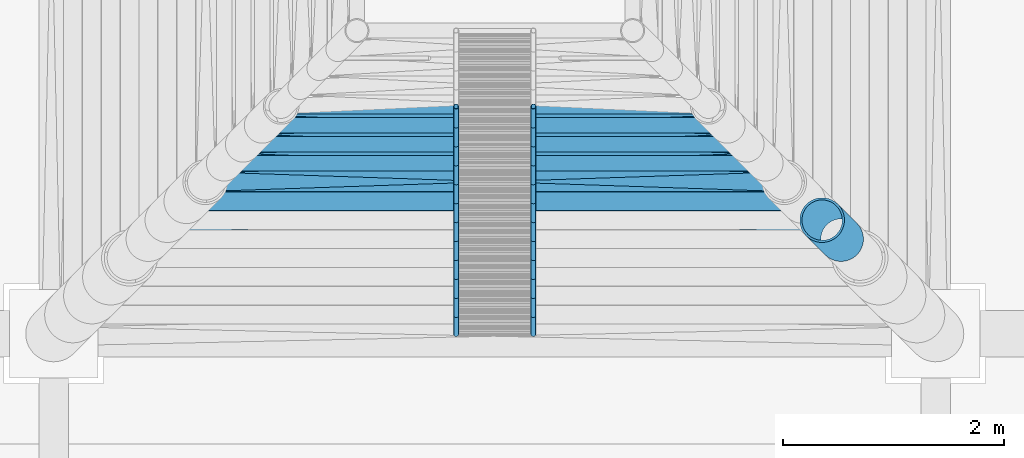
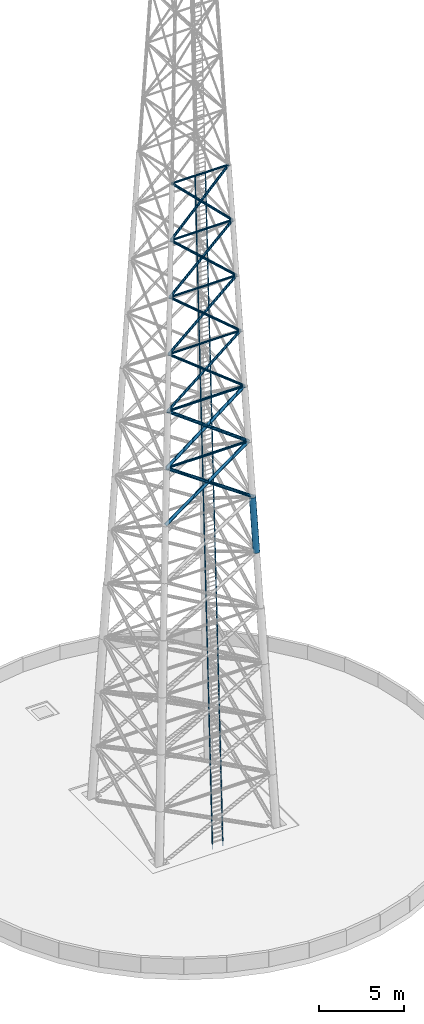
# One storey, part 2 of 9: 43 members.
"""IFC4 building model written with IfcOpenShell, lengths in metres."""

from ifc_helpers import new_model, si_unit, direction, frame, origin, origin_2d, place, context, subcontext, project, spatial, hollow_circle, extrude, material, material_profile, profile_set, type_object, element, save


model = new_model("IFC4")

# Units and contexts
model_context = context("Model", 3, precision=1e-05, world=origin(), true_north=direction((0.0, 1.0)))
body_context = subcontext(model_context, "Body", "Model", "MODEL_VIEW")
ifc_project = project(units=[si_unit("LENGTHUNIT", "METRE"), si_unit("AREAUNIT", "SQUARE_METRE"), si_unit("VOLUMEUNIT", "CUBIC_METRE"), si_unit("PLANEANGLEUNIT", "RADIAN"), si_unit("MASSUNIT", "GRAM", prefix="KILO")], contexts=[model_context])

# Site, building, storey
site_placement = place(None, origin())
site = spatial("IfcSite", under=ifc_project, at=site_placement, CompositionType="ELEMENT")
building_placement = place(site_placement, origin())
building = spatial("IfcBuilding", under=site, at=building_placement, Name="Tracery Tower", CompositionType="ELEMENT")
storey_placement = place(building_placement, frame((0.0, 0.0, 364.199951171875)))
storey = spatial("IfcBuildingStorey", under=building, at=storey_placement, Name="Roof", CompositionType="ELEMENT", Elevation=364.199951171875)

# Members
ifc_material_1 = material(Name="Steel S355", Category="steel")
ifc_material_profile_1 = material_profile(ifc_material_1, hollow_circle(Radius=0.084228515625, WallThickness=0.008056640625, at=origin_2d()), Name="CHS 168.3x8")
ifc_profile_set_1 = profile_set([ifc_material_profile_1], Name="Steel S355")
member_type_1 = type_object("IfcMemberType", Name="Mast diagonal MAST CHS 168.3x8", PredefinedType="BRACE", material=ifc_profile_set_1)
for number, where, z_axis, x_axis, name in (
    (1, (-2.625, -2.625, 31.210205078125), (0.789434031046, 0.026719305666, 0.61325360931), (-0.03382678405, 0.999427710583, 0.0), "Mast south face diagonal 9a"),
    (2, (2.625, -2.625, 31.210205078125), (-0.789434031046, 0.026719305666, 0.61325360931), (-0.03382678405, -0.999427710583, 0.0), "Mast south face diagonal 9b"),
):
    element("IfcMember", number, at=place(storey_placement, frame(where, z_axis=z_axis, x_axis=x_axis)), inside=storey, type_object=member_type_1, Name=name, PredefinedType="BRACE", context=body_context, shape_type="SweptSolid", body=[
        extrude(hollow_circle(Radius=0.084228515625, WallThickness=0.008056640625, at=origin_2d()), origin(), (0.0, 0.0, 1.0), 6.4326171875),
    ])
for number, where, z_axis, x_axis, name in (
    (3, (-2.453125, -2.453125, 35.155029296875), (0.767942149583, 0.027879087939, 0.639912190342), (-0.036279730735, 0.999341673872, 0.0), "Mast south face diagonal 10a"),
    (4, (2.453125, -2.453125, 35.155029296875), (-0.767942149583, 0.027879087939, 0.639912190342), (-0.036279730735, -0.999341673872, 0.0), "Mast south face diagonal 10b"),
):
    element("IfcMember", number, at=place(storey_placement, frame(where, z_axis=z_axis, x_axis=x_axis)), inside=storey, type_object=member_type_1, Name=name, PredefinedType="BRACE", context=body_context, shape_type="SweptSolid", body=[
        extrude(hollow_circle(Radius=0.084228515625, WallThickness=0.008056640625, at=origin_2d()), origin(), (0.0, 0.0, 1.0), 6.1650390625),
    ])
for number, where, z_axis, x_axis, name in (
    (5, (-2.28125, -2.28125, 39.10009765625), (0.743525820778, 0.029105992984, 0.668073495215), (-0.039115948266, 0.999234678437, 0.0), "Mast south face diagonal 11a"),
    (6, (2.28125, -2.28125, 39.10009765625), (-0.743525820778, 0.029105992984, 0.668073495215), (-0.039115948266, -0.999234678437, 0.0), "Mast south face diagonal 11b"),
):
    element("IfcMember", number, at=place(storey_placement, frame(where, z_axis=z_axis, x_axis=x_axis)), inside=storey, type_object=member_type_1, Name=name, PredefinedType="BRACE", context=body_context, shape_type="SweptSolid", body=[
        extrude(hollow_circle(Radius=0.084228515625, WallThickness=0.008056640625, at=origin_2d()), origin(), (0.0, 0.0, 1.0), 5.905029296875),
    ])
for number, where, z_axis, x_axis, name in (
    (7, (-2.109375, -2.109375, 43.045166015625), (0.715725377637, 0.030397602911, 0.697719979321), (-0.042432789804, 0.999099323566, 0.0), "Mast south face diagonal 12a"),
    (8, (2.109375, -2.109375, 43.045166015625), (-0.715725377637, 0.030397602911, 0.697719979321), (-0.042432789804, -0.999099323566, 0.0), "Mast south face diagonal 12b"),
):
    element("IfcMember", number, at=place(storey_placement, frame(where, z_axis=z_axis, x_axis=x_axis)), inside=storey, type_object=member_type_1, Name=name, PredefinedType="BRACE", context=body_context, shape_type="SweptSolid", body=[
        extrude(hollow_circle(Radius=0.084228515625, WallThickness=0.008056640625, at=origin_2d()), origin(), (0.0, 0.0, 1.0), 5.654296875),
    ])
ifc_material_2 = material(Name="Steel S355", Category="steel")
ifc_material_profile_2 = material_profile(ifc_material_2, hollow_circle(Radius=0.109619140625, WallThickness=0.010009765625, at=origin_2d()), Name="CHS 219.1x10")
ifc_profile_set_2 = profile_set([ifc_material_profile_2], Name="Steel S355")
member_type_2 = type_object("IfcMemberType", Name="Mast diagonal MAST CHS 219.1x10", PredefinedType="BRACE", material=ifc_profile_set_2)
for number, where, z_axis, x_axis, name in (
    (9, (-2.96875, -2.96875, 23.320068359375), (0.825046465832, 0.024594881095, 0.56452938014), (-0.029797061406, 0.999555968984, 0.0), "Mast south face diagonal 7a"),
    (10, (2.96875, -2.96875, 23.320068359375), (-0.825046465832, 0.024594881095, 0.56452938014), (-0.029797061406, -0.999555968984, 0.0), "Mast south face diagonal 7b"),
):
    element("IfcMember", number, at=place(storey_placement, frame(where, z_axis=z_axis, x_axis=x_axis)), inside=storey, type_object=member_type_2, Name=name, PredefinedType="BRACE", context=body_context, shape_type="SweptSolid", body=[
        extrude(hollow_circle(Radius=0.109619140625, WallThickness=0.010009765625, at=origin_2d()), origin(), (0.0, 0.0, 1.0), 6.98828125),
    ])
for number, where, z_axis, x_axis, name in (
    (11, (-2.796875, -2.796875, 27.26513671875), (0.808336716623, 0.025624506867, 0.588162509182), (-0.031684372238, 0.999497924238, 0.0), "Mast south face diagonal 8a"),
    (12, (2.796875, -2.796875, 27.26513671875), (-0.808336716623, 0.025624506867, 0.588162509182), (-0.031684372238, -0.999497924238, 0.0), "Mast south face diagonal 8b"),
):
    element("IfcMember", number, at=place(storey_placement, frame(where, z_axis=z_axis, x_axis=x_axis)), inside=storey, type_object=member_type_2, Name=name, PredefinedType="BRACE", context=body_context, shape_type="SweptSolid", body=[
        extrude(hollow_circle(Radius=0.109619140625, WallThickness=0.010009765625, at=origin_2d()), origin(), (0.0, 0.0, 1.0), 6.70751953125),
    ])
ifc_material_3 = material(Name="Steel S355", Category="steel")
ifc_material_profile_3 = material_profile(ifc_material_3, hollow_circle(Radius=0.024169921875, WallThickness=0.00390625, at=origin_2d()), Name="CHS 48.3x4")
ifc_profile_set_3 = profile_set([ifc_material_profile_3], Name="Steel S355")
member_type_3 = type_object("IfcMemberType", Name="Mast ladder stile MAST CHS 48.3x4", PredefinedType="STRINGER", material=ifc_profile_set_3)
for number, where, z_axis, x_axis, name in (
    (13, (-0.35009765625, -4.0, -0.349853515625), (0.0, 0.043528452789, 0.999052187725), (-1.0, 0.0, 0.0), "Mast service ladder stile 1 length 1"),
    (14, (0.35009765625, -4.0, -0.349853515625), (0.0, 0.043528452789, 0.999052187725), (-1.0, 0.0, 0.0), "Mast service ladder stile 2 length 1"),
):
    element("IfcMember", number, at=place(storey_placement, frame(where, z_axis=z_axis, x_axis=x_axis)), inside=storey, type_object=member_type_3, Name=name, PredefinedType="STRINGER", context=body_context, shape_type="SweptSolid", body=[
        extrude(hollow_circle(Radius=0.024169921875, WallThickness=0.00390625, at=origin_2d()), origin(), (0.0, 0.0, 1.0), 3.948486328125),
    ])
for number, where, z_axis, x_axis, name in (
    (15, (-0.35009765625, -3.828125, 3.594970703125), (0.0, 0.043525764133, 0.999052304865), (-1.0, 0.0, 0.0), "Mast service ladder stile 1 length 2"),
    (16, (0.35009765625, -3.828125, 3.594970703125), (0.0, 0.043525764133, 0.999052304865), (-1.0, 0.0, 0.0), "Mast service ladder stile 2 length 2"),
    (17, (-0.35009765625, -3.65625, 7.5400390625), (0.0, 0.043525764133, 0.999052304865), (-1.0, 0.0, 0.0), "Mast service ladder stile 1 length 3"),
    (18, (0.35009765625, -3.65625, 7.5400390625), (0.0, 0.043525764133, 0.999052304865), (-1.0, 0.0, 0.0), "Mast service ladder stile 2 length 3"),
):
    element("IfcMember", number, at=place(storey_placement, frame(where, z_axis=z_axis, x_axis=x_axis)), inside=storey, type_object=member_type_3, Name=name, PredefinedType="STRINGER", context=body_context, shape_type="SweptSolid", body=[
        extrude(hollow_circle(Radius=0.024169921875, WallThickness=0.00390625, at=origin_2d()), origin(), (0.0, 0.0, 1.0), 3.94873046875),
    ])
for number, where, z_axis, x_axis, name in (
    (19, (-0.35009765625, -3.484375, 11.485107421875), (0.0, 0.043528452789, 0.999052187725), (-1.0, 0.0, 0.0), "Mast service ladder stile 1 length 4"),
    (20, (0.35009765625, -3.484375, 11.485107421875), (0.0, 0.043528452789, 0.999052187725), (-1.0, 0.0, 0.0), "Mast service ladder stile 2 length 4"),
):
    element("IfcMember", number, at=place(storey_placement, frame(where, z_axis=z_axis, x_axis=x_axis)), inside=storey, type_object=member_type_3, Name=name, PredefinedType="STRINGER", context=body_context, shape_type="SweptSolid", body=[
        extrude(hollow_circle(Radius=0.024169921875, WallThickness=0.00390625, at=origin_2d()), origin(), (0.0, 0.0, 1.0), 3.948486328125),
    ])
for number, where, z_axis, x_axis, name in (
    (21, (-0.35009765625, -3.3125, 15.429931640625), (0.0, 0.043525764133, 0.999052304865), (-1.0, 0.0, 0.0), "Mast service ladder stile 1 length 5"),
    (22, (0.35009765625, -3.3125, 15.429931640625), (0.0, 0.043525764133, 0.999052304865), (-1.0, 0.0, 0.0), "Mast service ladder stile 2 length 5"),
    (23, (-0.35009765625, -3.140625, 19.375), (0.0, 0.043525764133, 0.999052304865), (-1.0, 0.0, 0.0), "Mast service ladder stile 1 length 6"),
    (24, (0.35009765625, -3.140625, 19.375), (0.0, 0.043525764133, 0.999052304865), (-1.0, 0.0, 0.0), "Mast service ladder stile 2 length 6"),
    (25, (-0.35009765625, -2.96875, 23.320068359375), (0.0, 0.043525764133, 0.999052304865), (-1.0, 0.0, 0.0), "Mast service ladder stile 1 length 7"),
    (26, (0.35009765625, -2.96875, 23.320068359375), (0.0, 0.043525764133, 0.999052304865), (-1.0, 0.0, 0.0), "Mast service ladder stile 2 length 7"),
    (27, (-0.35009765625, -2.796875, 27.26513671875), (0.0, 0.043525764133, 0.999052304865), (-1.0, 0.0, 0.0), "Mast service ladder stile 1 length 8"),
    (28, (0.35009765625, -2.796875, 27.26513671875), (0.0, 0.043525764133, 0.999052304865), (-1.0, 0.0, 0.0), "Mast service ladder stile 2 length 8"),
):
    element("IfcMember", number, at=place(storey_placement, frame(where, z_axis=z_axis, x_axis=x_axis)), inside=storey, type_object=member_type_3, Name=name, PredefinedType="STRINGER", context=body_context, shape_type="SweptSolid", body=[
        extrude(hollow_circle(Radius=0.024169921875, WallThickness=0.00390625, at=origin_2d()), origin(), (0.0, 0.0, 1.0), 3.94873046875),
    ])
for number, where, z_axis, x_axis, name in (
    (29, (-0.35009765625, -2.625, 31.210205078125), (0.0, 0.043528452789, 0.999052187725), (-1.0, 0.0, 0.0), "Mast service ladder stile 1 length 9"),
    (30, (0.35009765625, -2.625, 31.210205078125), (0.0, 0.043528452789, 0.999052187725), (-1.0, 0.0, 0.0), "Mast service ladder stile 2 length 9"),
):
    element("IfcMember", number, at=place(storey_placement, frame(where, z_axis=z_axis, x_axis=x_axis)), inside=storey, type_object=member_type_3, Name=name, PredefinedType="STRINGER", context=body_context, shape_type="SweptSolid", body=[
        extrude(hollow_circle(Radius=0.024169921875, WallThickness=0.00390625, at=origin_2d()), origin(), (0.0, 0.0, 1.0), 3.948486328125),
    ])
for number, where, z_axis, x_axis, name in (
    (31, (-0.35009765625, -2.453125, 35.155029296875), (0.0, 0.043525764133, 0.999052304865), (-1.0, 0.0, 0.0), "Mast service ladder stile 1 length 10"),
    (32, (0.35009765625, -2.453125, 35.155029296875), (0.0, 0.043525764133, 0.999052304865), (-1.0, 0.0, 0.0), "Mast service ladder stile 2 length 10"),
    (33, (-0.35009765625, -2.28125, 39.10009765625), (0.0, 0.043525764133, 0.999052304865), (-1.0, 0.0, 0.0), "Mast service ladder stile 1 length 11"),
    (34, (0.35009765625, -2.28125, 39.10009765625), (0.0, 0.043525764133, 0.999052304865), (-1.0, 0.0, 0.0), "Mast service ladder stile 2 length 11"),
    (35, (-0.35009765625, -2.109375, 43.045166015625), (0.0, 0.043525764133, 0.999052304865), (-1.0, 0.0, 0.0), "Mast service ladder stile 1 length 12"),
    (36, (0.35009765625, -2.109375, 43.045166015625), (0.0, 0.043525764133, 0.999052304865), (-1.0, 0.0, 0.0), "Mast service ladder stile 2 length 12"),
):
    element("IfcMember", number, at=place(storey_placement, frame(where, z_axis=z_axis, x_axis=x_axis)), inside=storey, type_object=member_type_3, Name=name, PredefinedType="STRINGER", context=body_context, shape_type="SweptSolid", body=[
        extrude(hollow_circle(Radius=0.024169921875, WallThickness=0.00390625, at=origin_2d()), origin(), (0.0, 0.0, 1.0), 3.94873046875),
    ])
ifc_material_4 = material(Name="Steel S355", Category="steel")
ifc_material_profile_4 = material_profile(ifc_material_4, hollow_circle(Radius=0.203125, WallThickness=0.02001953125, at=origin_2d()), Name="CHS 406.4x20")
ifc_profile_set_4 = profile_set([ifc_material_profile_4], Name="Steel S355")
member_type_4 = type_object("IfcMemberType", Name="Mast leg MAST CHS 406.4x20", PredefinedType="CHORD", material=ifc_profile_set_4)
member_1_placement = place(storey_placement, frame((3.140625, -3.140625, 19.375), z_axis=(-0.043484593013, 0.043484593013, 0.998107299012), x_axis=(-0.707106781187, -0.707106781187, 0.0)))
element("IfcMember", 37, at=member_1_placement, inside=storey, type_object=member_type_4, Name="Mast leg 2 panel 6", PredefinedType="CHORD", context=body_context, shape_type="SweptSolid", body=[
    extrude(hollow_circle(Radius=0.203125, WallThickness=0.02001953125, at=origin_2d()), origin(), (0.0, 0.0, 1.0), 3.95263671875),
])
ifc_material_5 = material(Name="Steel S355", Category="steel")
ifc_material_profile_5 = material_profile(ifc_material_5, hollow_circle(Radius=0.06982421875, WallThickness=0.00634765625, at=origin_2d()), Name="CHS 139.7x6.3")
ifc_profile_set_5 = profile_set([ifc_material_profile_5], Name="Steel S355")
member_type_5 = type_object("IfcMemberType", Name="Mast strut MAST CHS 139.7x6.3", PredefinedType="STRUT", material=ifc_profile_set_5)
member_2_placement = place(storey_placement, frame((-2.453125, -2.453125, 35.155029296875), z_axis=(1.0, 0.0, 0.0), x_axis=(0.0, 1.0, 0.0)))
element("IfcMember", 38, at=member_2_placement, inside=storey, type_object=member_type_5, Name="Mast south face strut 9", PredefinedType="STRUT", context=body_context, shape_type="SweptSolid", body=[
    extrude(hollow_circle(Radius=0.06982421875, WallThickness=0.00634765625, at=origin_2d()), origin(), (0.0, 0.0, 1.0), 4.90625),
])
member_3_placement = place(storey_placement, frame((-2.28125, -2.28125, 39.10009765625), z_axis=(1.0, 0.0, 0.0), x_axis=(0.0, 1.0, 0.0)))
element("IfcMember", 39, at=member_3_placement, inside=storey, type_object=member_type_5, Name="Mast south face strut 10", PredefinedType="STRUT", context=body_context, shape_type="SweptSolid", body=[
    extrude(hollow_circle(Radius=0.06982421875, WallThickness=0.00634765625, at=origin_2d()), origin(), (0.0, 0.0, 1.0), 4.5625),
])
member_4_placement = place(storey_placement, frame((-2.109375, -2.109375, 43.045166015625), z_axis=(1.0, 0.0, 0.0), x_axis=(0.0, 1.0, 0.0)))
element("IfcMember", 40, at=member_4_placement, inside=storey, type_object=member_type_5, Name="Mast south face strut 11", PredefinedType="STRUT", context=body_context, shape_type="SweptSolid", body=[
    extrude(hollow_circle(Radius=0.06982421875, WallThickness=0.00634765625, at=origin_2d()), origin(), (0.0, 0.0, 1.0), 4.21875),
])
member_5_placement = place(storey_placement, frame((-1.9375, -1.9375, 46.990234375), z_axis=(1.0, 0.0, 0.0), x_axis=(0.0, 1.0, 0.0)))
element("IfcMember", 41, at=member_5_placement, inside=storey, type_object=member_type_5, Name="Mast south face strut 12", PredefinedType="STRUT", context=body_context, shape_type="SweptSolid", body=[
    extrude(hollow_circle(Radius=0.06982421875, WallThickness=0.00634765625, at=origin_2d()), origin(), (0.0, 0.0, 1.0), 3.875),
])
ifc_material_6 = material(Name="Steel S355", Category="steel")
ifc_material_profile_6 = material_profile(ifc_material_6, hollow_circle(Radius=0.084228515625, WallThickness=0.008056640625, at=origin_2d()), Name="CHS 168.3x8")
ifc_profile_set_6 = profile_set([ifc_material_profile_6], Name="Steel S355")
member_type_6 = type_object("IfcMemberType", Name="Mast strut MAST CHS 168.3x8", PredefinedType="STRUT", material=ifc_profile_set_6)
member_6_placement = place(storey_placement, frame((-2.796875, -2.796875, 27.26513671875), z_axis=(1.0, 0.0, 0.0), x_axis=(0.0, 1.0, 0.0)))
element("IfcMember", 42, at=member_6_placement, inside=storey, type_object=member_type_6, Name="Mast south face strut 7", PredefinedType="STRUT", context=body_context, shape_type="SweptSolid", body=[
    extrude(hollow_circle(Radius=0.084228515625, WallThickness=0.008056640625, at=origin_2d()), origin(), (0.0, 0.0, 1.0), 5.59375),
])
member_7_placement = place(storey_placement, frame((-2.625, -2.625, 31.210205078125), z_axis=(1.0, 0.0, 0.0), x_axis=(0.0, 1.0, 0.0)))
element("IfcMember", 43, at=member_7_placement, inside=storey, type_object=member_type_6, Name="Mast south face strut 8", PredefinedType="STRUT", context=body_context, shape_type="SweptSolid", body=[
    extrude(hollow_circle(Radius=0.084228515625, WallThickness=0.008056640625, at=origin_2d()), origin(), (0.0, 0.0, 1.0), 5.25),
])

save(model, "model.ifc")
